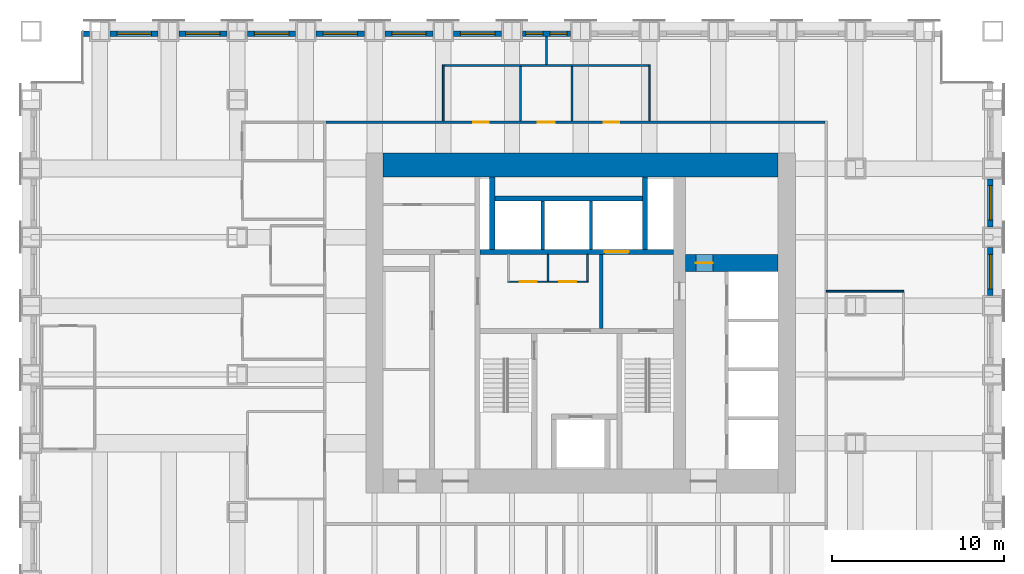
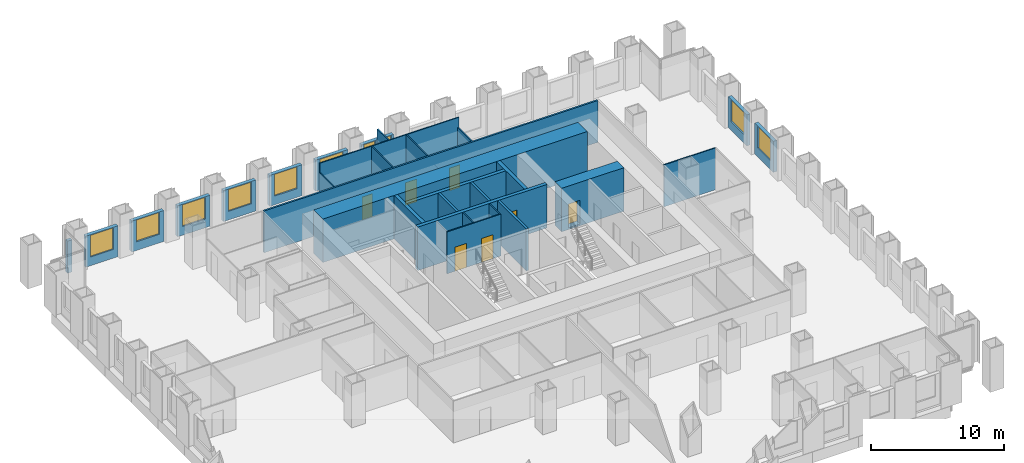
# One storey, part 12 of 15: 30 walls, 10 windows, 7 doors, 17 openings.
"""IFC4 building model written with IfcOpenShell, lengths in metres."""

from ifc_helpers import new_model, si_unit, direction, frame, frame_2d, origin, place, context, subcontext, project, spatial, rectangle, extrude, material, layer, layer_set, type_object, element, fill, save


model = new_model("IFC4")

# Units and contexts
model_context = context("Model", 3, precision=1e-05, world=origin(), true_north=direction((0.0, 1.0)))
body_context = subcontext(model_context, "Body", "Model", "MODEL_VIEW")
ifc_project = project(units=[si_unit("LENGTHUNIT", "METRE"), si_unit("AREAUNIT", "SQUARE_METRE"), si_unit("VOLUMEUNIT", "CUBIC_METRE"), si_unit("PLANEANGLEUNIT", "RADIAN"), si_unit("MASSUNIT", "GRAM", prefix="KILO")], contexts=[model_context])

# Site, building, storey
site_placement = place(None, origin())
site = spatial("IfcSite", under=ifc_project, at=site_placement, CompositionType="ELEMENT")
building_placement = place(site_placement, origin())
building = spatial("IfcBuilding", under=site, at=building_placement, Name="Rimbunsela Tower", CompositionType="ELEMENT")
storey_placement = place(building_placement, frame((0.0, 0.0, 35.0)))
storey = spatial("IfcBuildingStorey", under=building, at=storey_placement, Name="L08", CompositionType="ELEMENT", Elevation=35.0)

# Wall, opening, door
ifc_material_1 = material(Name="Concrete fc' 80 MPa", Category="concrete")
ifc_layer_1 = layer(ifc_material_1, 0.300048828125)
ifc_layer_set_1 = layer_set([ifc_layer_1], Name="Core internal wall 300")
wall_type_1 = type_object("IfcWallType", Name="Core internal wall 300", PredefinedType="SHEAR", material=ifc_layer_set_1)
wall_1_placement = place(storey_placement, frame((24.14990234375, 31.14990234375, -0.14990234375), z_axis=(0.0, 0.0, 1.0), x_axis=(1.0, 0.0, 0.0)))
wall_1 = element("IfcWall", 1, at=wall_1_placement, inside=storey, type_object=wall_type_1, Name="Lift shaft front north", PredefinedType="SHEAR", context=body_context, shape_type="SweptSolid", body=[
    extrude(rectangle(XDim=11.25, YDim=0.300048828125, at=frame_2d((5.625, 0.0))), origin(), (0.0, 0.0, 1.0), 4.0),
])
opening_1_placement = place(wall_1_placement, frame((7.25, 0.0, 0.14990234375)))
opening_1 = element("IfcOpeningElement", 2, at=opening_1_placement, cuts=wall_1, Name="Opening LD3", PredefinedType="OPENING", context=body_context, shape_type="SweptSolid", body=[
    extrude(rectangle(XDim=1.39990234375, YDim=2.39990234375, at=frame_2d((0.699951171875, 1.199951171875))), frame((0.0, 0.159912109375, 0.0), z_axis=(0.0, -1.0, 0.0), x_axis=(1.0, 0.0, 0.0)), (0.0, 0.0, 1.0), 0.320068359375),
])
ifc_material_2 = material(Name="Steel door, fire rated", Category="steel")
door_type_1 = type_object("IfcDoorType", Name="Lift landing door 1400", OperationType="DOUBLE_DOOR_SLIDING", PredefinedType="DOOR", material=ifc_material_2)
door_1_placement = place(opening_1_placement, origin())
door_1 = element("IfcDoor", 3, at=door_1_placement, inside=storey, type_object=door_type_1, Name="Lift landing door FL2", OperationType="DOUBLE_DOOR_SLIDING", OverallHeight=2.39990234375, OverallWidth=1.39990234375, PredefinedType="DOOR", context=body_context, shape_type="SweptSolid", body=[
    extrude(rectangle(XDim=1.39990234375, YDim=2.39990234375, at=frame_2d((0.699951171875, 1.199951171875))), frame((0.0, 0.02490234375, 0.0), z_axis=(0.0, -1.0, 0.0), x_axis=(1.0, 0.0, 0.0)), (0.0, 0.0, 1.0), 0.050048828125),
])
fill(opening_1, door_1)

# Walls
for number, where, z_axis, x_axis, name in (
    (4, (24.85009765625, 31.300048828125, -0.14990234375), (0.0, 0.0, 1.0), (0.0, 1.0, 0.0), "Riser wall"),
    (5, (33.75, 31.300048828125, -0.14990234375), (0.0, 0.0, 1.0), (0.0, 1.0, 0.0), "Riser wall"),
):
    element("IfcWall", number, at=place(storey_placement, frame(where, z_axis=z_axis, x_axis=x_axis)), inside=storey, type_object=wall_type_1, Name=name, PredefinedType="SHEAR", context=body_context, shape_type="SweptSolid", body=[
        extrude(rectangle(XDim=4.199951171875, YDim=0.300048828125, at=frame_2d((2.10009765625, 0.0))), origin(), (0.0, 0.0, 1.0), 4.0),
    ])
wall_2_placement = place(storey_placement, frame((25.0, 34.25, -0.14990234375), z_axis=(0.0, 0.0, 1.0), x_axis=(1.0, 0.0, 0.0)))
element("IfcWall", 6, at=wall_2_placement, inside=storey, type_object=wall_type_1, Name="Lift shaft rear north", PredefinedType="SHEAR", context=body_context, shape_type="SweptSolid", body=[
    extrude(rectangle(XDim=8.60009765625, YDim=0.300048828125, at=frame_2d((4.300048828125, 0.0))), origin(), (0.0, 0.0, 1.0), 4.0),
])

# Wall, openings, doors
ifc_material_3 = material(Name="Concrete blockwork", Category="masonry")
ifc_layer_2 = layer(ifc_material_3, 0.10009765625)
ifc_layer_set_2 = layer_set([ifc_layer_2], Name="Core room partition 100")
wall_type_2 = type_object("IfcWallType", Name="Core room partition 100", PredefinedType="PARTITIONING", material=ifc_layer_set_2)
wall_3_placement = place(storey_placement, frame((25.75, 29.39990234375, 0.0), z_axis=(0.0, 0.0, 1.0), x_axis=(1.0, 0.0, 0.0)))
wall_3 = element("IfcWall", 7, at=wall_3_placement, inside=storey, type_object=wall_type_2, Name="Lobby room wall", PredefinedType="PARTITIONING", context=body_context, shape_type="SweptSolid", body=[
    extrude(rectangle(XDim=4.699951171875, YDim=0.10009765625, at=frame_2d((2.35009765625, 0.0))), origin(), (0.0, 0.0, 1.0), 3.85009765625),
])
opening_2_placement = place(wall_3_placement, frame((0.699951171875, 0.0, 0.0)))
opening_2 = element("IfcOpeningElement", 8, at=opening_2_placement, cuts=wall_3, Name="Opening D19", PredefinedType="OPENING", context=body_context, shape_type="SweptSolid", body=[
    extrude(rectangle(XDim=1.0, YDim=2.199951171875, at=frame_2d((0.5, 1.10009765625))), frame((0.0, 0.06005859375, 0.0), z_axis=(0.0, -1.0, 0.0), x_axis=(1.0, 0.0, 0.0)), (0.0, 0.0, 1.0), 0.1201171875),
])
opening_3_placement = place(wall_3_placement, frame((3.0, 0.0, 0.0)))
opening_3 = element("IfcOpeningElement", 9, at=opening_3_placement, cuts=wall_3, Name="Opening D19", PredefinedType="OPENING", context=body_context, shape_type="SweptSolid", body=[
    extrude(rectangle(XDim=1.0, YDim=2.199951171875, at=frame_2d((0.5, 1.10009765625))), frame((0.0, 0.06005859375, 0.0), z_axis=(0.0, -1.0, 0.0), x_axis=(1.0, 0.0, 0.0)), (0.0, 0.0, 1.0), 0.1201171875),
])
ifc_material_4 = material(Name="Steel door, fire rated", Category="steel")
door_type_2 = type_object("IfcDoorType", Name="Service door 1000 fire rated", OperationType="SINGLE_SWING_LEFT", PredefinedType="DOOR", material=ifc_material_4)
door_2_placement = place(opening_2_placement, origin())
door_2 = element("IfcDoor", 10, at=door_2_placement, inside=storey, type_object=door_type_2, Name="Facilities store door", OperationType="SINGLE_SWING_LEFT", OverallHeight=2.199951171875, OverallWidth=1.0, PredefinedType="DOOR", context=body_context, shape_type="SweptSolid", body=[
    extrude(rectangle(XDim=1.0, YDim=2.199951171875, at=frame_2d((0.5, 1.10009765625))), frame((0.0, 0.02490234375, 0.0), z_axis=(0.0, -1.0, 0.0), x_axis=(1.0, 0.0, 0.0)), (0.0, 0.0, 1.0), 0.050048828125),
])
fill(opening_2, door_2)
door_3_placement = place(opening_3_placement, origin())
door_3 = element("IfcDoor", 11, at=door_3_placement, inside=storey, type_object=door_type_2, Name="IT room door", OperationType="SINGLE_SWING_LEFT", OverallHeight=2.199951171875, OverallWidth=1.0, PredefinedType="DOOR", context=body_context, shape_type="SweptSolid", body=[
    extrude(rectangle(XDim=1.0, YDim=2.199951171875, at=frame_2d((0.5, 1.10009765625))), frame((0.0, 0.02490234375, 0.0), z_axis=(0.0, -1.0, 0.0), x_axis=(1.0, 0.0, 0.0)), (0.0, 0.0, 1.0), 0.050048828125),
])
fill(opening_3, door_3)

# Walls
for number, where, z_axis, x_axis, name in (
    (12, (30.39990234375, 29.449951171875, 0.0), (0.0, 0.0, 1.0), (0.0, 1.0, 0.0), "Lobby room wall"),
    (13, (28.10009765625, 29.449951171875, 0.0), (0.0, 0.0, 1.0), (0.0, 1.0, 0.0), "Lobby room wall"),
):
    element("IfcWall", number, at=place(storey_placement, frame(where, z_axis=z_axis, x_axis=x_axis)), inside=storey, type_object=wall_type_2, Name=name, PredefinedType="PARTITIONING", context=body_context, shape_type="SweptSolid", body=[
        extrude(rectangle(XDim=1.550048828125, YDim=0.10009765625, at=frame_2d((0.77490234375, 0.0))), origin(), (0.0, 0.0, 1.0), 3.85009765625),
    ])

# Wall, opening, door
ifc_material_5 = material(Name="Concrete fc' 80 MPa", Category="concrete")
ifc_layer_3 = layer(ifc_material_5, 1.0)
ifc_layer_set_3 = layer_set([ifc_layer_3], Name="Core wall 1000")
wall_type_3 = type_object("IfcWallType", Name="Core wall 1000", PredefinedType="SHEAR", material=ifc_layer_set_3)
wall_4_placement = place(storey_placement, frame((36.10009765625, 30.5, -0.14990234375), z_axis=(0.0, 0.0, 1.0), x_axis=(1.0, 0.0, 0.0)))
wall_4 = element("IfcWall", 14, at=wall_4_placement, inside=storey, type_object=wall_type_3, Name="Lift shaft rear east", PredefinedType="SHEAR", context=body_context, shape_type="SweptSolid", body=[
    extrude(rectangle(XDim=5.39990234375, YDim=1.0, at=frame_2d((2.699951171875, 0.0))), origin(), (0.0, 0.0, 1.0), 4.0),
])
opening_4_placement = place(wall_4_placement, frame((0.60009765625, 0.0, 0.14990234375)))
opening_4 = element("IfcOpeningElement", 15, at=opening_4_placement, cuts=wall_4, Name="Opening D19", PredefinedType="OPENING", context=body_context, shape_type="SweptSolid", body=[
    extrude(rectangle(XDim=1.0, YDim=2.199951171875, at=frame_2d((0.5, 1.10009765625))), frame((0.0, 0.510009765625, 0.0), z_axis=(0.0, -1.0, 0.0), x_axis=(1.0, 0.0, 0.0)), (0.0, 0.0, 1.0), 1.02001953125),
])
door_4_placement = place(opening_4_placement, origin())
door_4 = element("IfcDoor", 16, at=door_4_placement, inside=storey, type_object=door_type_2, Name="Communications room door", OperationType="SINGLE_SWING_LEFT", OverallHeight=2.199951171875, OverallWidth=1.0, PredefinedType="DOOR", context=body_context, shape_type="SweptSolid", body=[
    extrude(rectangle(XDim=1.0, YDim=2.199951171875, at=frame_2d((0.5, 1.10009765625))), frame((0.0, 0.02490234375, 0.0), z_axis=(0.0, -1.0, 0.0), x_axis=(1.0, 0.0, 0.0)), (0.0, 0.0, 1.0), 0.050048828125),
])
fill(opening_4, door_4)

# Walls
ifc_material_6 = material(Name="Concrete fc' 80 MPa", Category="concrete")
ifc_layer_4 = layer(ifc_material_6, 1.39990234375)
ifc_layer_set_4 = layer_set([ifc_layer_4], Name="Core wall 1400")
wall_type_4 = type_object("IfcWallType", Name="Core wall 1400", PredefinedType="SHEAR", material=ifc_layer_set_4)
wall_5_placement = place(storey_placement, frame((18.5, 36.199951171875, -0.14990234375), z_axis=(0.0, 0.0, 1.0), x_axis=(1.0, 0.0, 0.0)))
element("IfcWall", 17, at=wall_5_placement, inside=storey, type_object=wall_type_4, Name="Core wall north", PredefinedType="SHEAR", context=body_context, shape_type="SweptSolid", body=[
    extrude(rectangle(XDim=23.0, YDim=1.39990234375, at=frame_2d((11.5, 0.0))), origin(), (0.0, 0.0, 1.0), 4.0),
])
ifc_material_7 = material(Name="Concrete blockwork", Category="masonry")
ifc_layer_5 = layer(ifc_material_7, 0.199951171875)
ifc_layer_set_5 = layer_set([ifc_layer_5], Name="Lift shaft wall 200")
wall_type_5 = type_object("IfcWallType", Name="Lift shaft wall 200", PredefinedType="SOLIDWALL", material=ifc_layer_set_5)
for number, where, z_axis, x_axis, name in (
    (18, (27.800048828125, 31.300048828125, -0.14990234375), (0.0, 0.0, 1.0), (0.0, 1.0, 0.0), "Lift shaft separation"),
    (19, (30.60009765625, 31.300048828125, -0.14990234375), (0.0, 0.0, 1.0), (0.0, 1.0, 0.0), "Lift shaft separation"),
):
    element("IfcWall", number, at=place(storey_placement, frame(where, z_axis=z_axis, x_axis=x_axis)), inside=storey, type_object=wall_type_5, Name=name, PredefinedType="SOLIDWALL", context=body_context, shape_type="SweptSolid", body=[
        extrude(rectangle(XDim=2.800048828125, YDim=0.199951171875, at=frame_2d((1.39990234375, 0.0))), origin(), (0.0, 0.0, 1.0), 4.0),
    ])
wall_6_placement = place(storey_placement, frame((31.199951171875, 26.699951171875, 0.0), z_axis=(0.0, 0.0, 1.0), x_axis=(0.0, 1.0, 0.0)))
element("IfcWall", 20, at=wall_6_placement, inside=storey, type_object=wall_type_5, Name="Firefighting lobby 2 wall", PredefinedType="SOLIDWALL", context=body_context, shape_type="SweptSolid", body=[
    extrude(rectangle(XDim=4.300048828125, YDim=0.199951171875, at=frame_2d((2.14990234375, 0.0))), origin(), (0.0, 0.0, 1.0), 3.85009765625),
])
ifc_material_8 = material(Name="Gypsum board on steel studs", Category="steel")
ifc_layer_6 = layer(ifc_material_8, 0.10009765625)
ifc_layer_set_6 = layer_set([ifc_layer_6], Name="Office partition 100")
wall_type_6 = type_object("IfcWallType", Name="Office partition 100", PredefinedType="PARTITIONING", material=ifc_layer_set_6)
wall_7_placement = place(storey_placement, frame((48.800048828125, 28.85009765625, 0.0), z_axis=(0.0, 0.0, 1.0), x_axis=(-1.0, 0.0, 0.0)))
element("IfcWall", 21, at=wall_7_placement, inside=storey, type_object=wall_type_6, Name="Office partition", PredefinedType="PARTITIONING", context=body_context, shape_type="SweptSolid", body=[
    extrude(rectangle(XDim=4.5, YDim=0.10009765625, at=frame_2d((2.25, 0.0))), origin(), (0.0, 0.0, 1.0), 3.85009765625),
])

# Wall, opening, window
ifc_material_9 = material(Name="Precast concrete fc' 35 MPa", Category="concrete")
ifc_layer_7 = layer(ifc_material_9, 0.300048828125)
ifc_layer_set_7 = layer_set([ifc_layer_7], Name="Precast concrete fc' 35 MPa")
wall_type_7 = type_object("IfcWallType", Name="Precast facade panel 300", PredefinedType="ELEMENTEDWALL", material=ifc_layer_set_7)
wall_8_placement = place(storey_placement, frame((53.85009765625, 28.60009765625, 0.0), z_axis=(0.0, 0.0, 1.0), x_axis=(0.0, 1.0, 0.0)))
wall_8 = element("IfcWall", 22, at=wall_8_placement, inside=storey, type_object=wall_type_7, Name="Facade panel E L08", PredefinedType="ELEMENTEDWALL", context=body_context, shape_type="SweptSolid", body=[
    extrude(rectangle(XDim=2.7998046875, YDim=0.300048828125, at=frame_2d((1.39990234375, 0.0))), origin(), (0.0, 0.0, 1.0), 2.85009765625),
])
opening_5_placement = place(wall_8_placement, frame((0.39990234375, 0.0, 0.800048828125)))
opening_5 = element("IfcOpeningElement", 23, at=opening_5_placement, cuts=wall_8, Name="Opening W1", PredefinedType="OPENING", context=body_context, shape_type="SweptSolid", body=[
    extrude(rectangle(XDim=2.0, YDim=2.0, at=frame_2d((1.0, 1.0))), frame((0.0, 0.159912109375, 0.0), z_axis=(0.0, -1.0, 0.0), x_axis=(1.0, 0.0, 0.0)), (0.0, 0.0, 1.0), 0.320068359375),
])
ifc_material_10 = material(Name="Clear glass in aluminium frame", Category="aluminium")
window_type_1 = type_object("IfcWindowType", Name="Window W1 2000x2000", PartitioningType="DOUBLE_PANEL_VERTICAL", PredefinedType="WINDOW", material=ifc_material_10)
window_1_placement = place(opening_5_placement, origin())
window_1 = element("IfcWindow", 24, at=window_1_placement, inside=storey, type_object=window_type_1, Name="Window L08", OverallHeight=2.0, OverallWidth=2.0, PartitioningType="SINGLE_PANEL", PredefinedType="WINDOW", context=body_context, shape_type="SweptSolid", body=[
    extrude(rectangle(XDim=2.0, YDim=2.0, at=frame_2d((1.0, 1.0))), frame((0.0, 0.030029296875, 0.0), z_axis=(0.0, -1.0, 0.0), x_axis=(1.0, 0.0, 0.0)), (0.0, 0.0, 1.0), 0.06005859375),
])
fill(opening_5, window_1)

wall_9_placement = place(storey_placement, frame((53.85009765625, 32.60009765625, 0.0), z_axis=(0.0, 0.0, 1.0), x_axis=(0.0, 1.0, 0.0)))
wall_9 = element("IfcWall", 25, at=wall_9_placement, inside=storey, type_object=wall_type_7, Name="Facade panel E L08", PredefinedType="ELEMENTEDWALL", context=body_context, shape_type="SweptSolid", body=[
    extrude(rectangle(XDim=2.7998046875, YDim=0.300048828125, at=frame_2d((1.39990234375, 0.0))), origin(), (0.0, 0.0, 1.0), 2.85009765625),
])
opening_6_placement = place(wall_9_placement, frame((0.39990234375, 0.0, 0.800048828125)))
opening_6 = element("IfcOpeningElement", 26, at=opening_6_placement, cuts=wall_9, Name="Opening W1", PredefinedType="OPENING", context=body_context, shape_type="SweptSolid", body=[
    extrude(rectangle(XDim=2.0, YDim=2.0, at=frame_2d((1.0, 1.0))), frame((0.0, 0.159912109375, 0.0), z_axis=(0.0, -1.0, 0.0), x_axis=(1.0, 0.0, 0.0)), (0.0, 0.0, 1.0), 0.320068359375),
])
window_2_placement = place(opening_6_placement, origin())
window_2 = element("IfcWindow", 27, at=window_2_placement, inside=storey, type_object=window_type_1, Name="Window L08", OverallHeight=2.0, OverallWidth=2.0, PartitioningType="SINGLE_PANEL", PredefinedType="WINDOW", context=body_context, shape_type="SweptSolid", body=[
    extrude(rectangle(XDim=2.0, YDim=2.0, at=frame_2d((1.0, 1.0))), frame((0.0, 0.030029296875, 0.0), z_axis=(0.0, -1.0, 0.0), x_axis=(1.0, 0.0, 0.0)), (0.0, 0.0, 1.0), 0.06005859375),
])
fill(opening_6, window_2)

# Wall
wall_10_placement = place(storey_placement, frame((1.39990234375, 43.85009765625, 0.0), z_axis=(0.0, 0.0, 1.0), x_axis=(-1.0, 0.0, 0.0)))
element("IfcWall", 28, at=wall_10_placement, inside=storey, type_object=wall_type_7, Name="Facade panel N L08", PredefinedType="ELEMENTEDWALL", context=body_context, shape_type="SweptSolid", body=[
    extrude(rectangle(XDim=0.369873046875, YDim=0.300048828125, at=frame_2d((0.18505859375, 0.0))), origin(), (0.0, 0.0, 1.0), 2.949951171875),
])

# Wall, opening, window
wall_11_placement = place(storey_placement, frame((5.39990234375, 43.85009765625, 0.0), z_axis=(0.0, 0.0, 1.0), x_axis=(-1.0, 0.0, 0.0)))
wall_11 = element("IfcWall", 29, at=wall_11_placement, inside=storey, type_object=wall_type_7, Name="Facade panel N L08", PredefinedType="ELEMENTEDWALL", context=body_context, shape_type="SweptSolid", body=[
    extrude(rectangle(XDim=2.7998046875, YDim=0.300048828125, at=frame_2d((1.39990234375, 0.0))), origin(), (0.0, 0.0, 1.0), 2.85009765625),
])
opening_7_placement = place(wall_11_placement, frame((0.39990234375, 0.0, 0.800048828125)))
opening_7 = element("IfcOpeningElement", 30, at=opening_7_placement, cuts=wall_11, Name="Opening W1", PredefinedType="OPENING", context=body_context, shape_type="SweptSolid", body=[
    extrude(rectangle(XDim=2.0, YDim=2.0, at=frame_2d((1.0, 1.0))), frame((0.0, 0.159912109375, 0.0), z_axis=(0.0, -1.0, 0.0), x_axis=(1.0, 0.0, 0.0)), (0.0, 0.0, 1.0), 0.320068359375),
])
window_3_placement = place(opening_7_placement, origin())
window_3 = element("IfcWindow", 31, at=window_3_placement, inside=storey, type_object=window_type_1, Name="Window L08", OverallHeight=2.0, OverallWidth=2.0, PartitioningType="SINGLE_PANEL", PredefinedType="WINDOW", context=body_context, shape_type="SweptSolid", body=[
    extrude(rectangle(XDim=2.0, YDim=2.0, at=frame_2d((1.0, 1.0))), frame((0.0, 0.030029296875, 0.0), z_axis=(0.0, -1.0, 0.0), x_axis=(1.0, 0.0, 0.0)), (0.0, 0.0, 1.0), 0.06005859375),
])
fill(opening_7, window_3)

wall_12_placement = place(storey_placement, frame((9.39990234375, 43.85009765625, 0.0), z_axis=(0.0, 0.0, 1.0), x_axis=(-1.0, 0.0, 0.0)))
wall_12 = element("IfcWall", 32, at=wall_12_placement, inside=storey, type_object=wall_type_7, Name="Facade panel N L08", PredefinedType="ELEMENTEDWALL", context=body_context, shape_type="SweptSolid", body=[
    extrude(rectangle(XDim=2.7998046875, YDim=0.300048828125, at=frame_2d((1.39990234375, 0.0))), origin(), (0.0, 0.0, 1.0), 2.85009765625),
])
opening_8_placement = place(wall_12_placement, frame((0.39990234375, 0.0, 0.800048828125)))
opening_8 = element("IfcOpeningElement", 33, at=opening_8_placement, cuts=wall_12, Name="Opening W1", PredefinedType="OPENING", context=body_context, shape_type="SweptSolid", body=[
    extrude(rectangle(XDim=2.0, YDim=2.0, at=frame_2d((1.0, 1.0))), frame((0.0, 0.159912109375, 0.0), z_axis=(0.0, -1.0, 0.0), x_axis=(1.0, 0.0, 0.0)), (0.0, 0.0, 1.0), 0.320068359375),
])
window_4_placement = place(opening_8_placement, origin())
window_4 = element("IfcWindow", 34, at=window_4_placement, inside=storey, type_object=window_type_1, Name="Window L08", OverallHeight=2.0, OverallWidth=2.0, PartitioningType="SINGLE_PANEL", PredefinedType="WINDOW", context=body_context, shape_type="SweptSolid", body=[
    extrude(rectangle(XDim=2.0, YDim=2.0, at=frame_2d((1.0, 1.0))), frame((0.0, 0.030029296875, 0.0), z_axis=(0.0, -1.0, 0.0), x_axis=(1.0, 0.0, 0.0)), (0.0, 0.0, 1.0), 0.06005859375),
])
fill(opening_8, window_4)

wall_13_placement = place(storey_placement, frame((13.39990234375, 43.85009765625, 0.0), z_axis=(0.0, 0.0, 1.0), x_axis=(-1.0, 0.0, 0.0)))
wall_13 = element("IfcWall", 35, at=wall_13_placement, inside=storey, type_object=wall_type_7, Name="Facade panel N L08", PredefinedType="ELEMENTEDWALL", context=body_context, shape_type="SweptSolid", body=[
    extrude(rectangle(XDim=2.7998046875, YDim=0.300048828125, at=frame_2d((1.39990234375, 0.0))), origin(), (0.0, 0.0, 1.0), 2.85009765625),
])
opening_9_placement = place(wall_13_placement, frame((0.39990234375, 0.0, 0.800048828125)))
opening_9 = element("IfcOpeningElement", 36, at=opening_9_placement, cuts=wall_13, Name="Opening W1", PredefinedType="OPENING", context=body_context, shape_type="SweptSolid", body=[
    extrude(rectangle(XDim=2.0, YDim=2.0, at=frame_2d((1.0, 1.0))), frame((0.0, 0.159912109375, 0.0), z_axis=(0.0, -1.0, 0.0), x_axis=(1.0, 0.0, 0.0)), (0.0, 0.0, 1.0), 0.320068359375),
])
window_5_placement = place(opening_9_placement, origin())
window_5 = element("IfcWindow", 37, at=window_5_placement, inside=storey, type_object=window_type_1, Name="Window L08", OverallHeight=2.0, OverallWidth=2.0, PartitioningType="SINGLE_PANEL", PredefinedType="WINDOW", context=body_context, shape_type="SweptSolid", body=[
    extrude(rectangle(XDim=2.0, YDim=2.0, at=frame_2d((1.0, 1.0))), frame((0.0, 0.030029296875, 0.0), z_axis=(0.0, -1.0, 0.0), x_axis=(1.0, 0.0, 0.0)), (0.0, 0.0, 1.0), 0.06005859375),
])
fill(opening_9, window_5)

wall_14_placement = place(storey_placement, frame((17.39990234375, 43.85009765625, 0.0), z_axis=(0.0, 0.0, 1.0), x_axis=(-1.0, 0.0, 0.0)))
wall_14 = element("IfcWall", 38, at=wall_14_placement, inside=storey, type_object=wall_type_7, Name="Facade panel N L08", PredefinedType="ELEMENTEDWALL", context=body_context, shape_type="SweptSolid", body=[
    extrude(rectangle(XDim=2.7998046875, YDim=0.300048828125, at=frame_2d((1.39990234375, 0.0))), origin(), (0.0, 0.0, 1.0), 2.85009765625),
])
opening_10_placement = place(wall_14_placement, frame((0.39990234375, 0.0, 0.800048828125)))
opening_10 = element("IfcOpeningElement", 39, at=opening_10_placement, cuts=wall_14, Name="Opening W1", PredefinedType="OPENING", context=body_context, shape_type="SweptSolid", body=[
    extrude(rectangle(XDim=2.0, YDim=2.0, at=frame_2d((1.0, 1.0))), frame((0.0, 0.159912109375, 0.0), z_axis=(0.0, -1.0, 0.0), x_axis=(1.0, 0.0, 0.0)), (0.0, 0.0, 1.0), 0.320068359375),
])
window_6_placement = place(opening_10_placement, origin())
window_6 = element("IfcWindow", 40, at=window_6_placement, inside=storey, type_object=window_type_1, Name="Window L08", OverallHeight=2.0, OverallWidth=2.0, PartitioningType="SINGLE_PANEL", PredefinedType="WINDOW", context=body_context, shape_type="SweptSolid", body=[
    extrude(rectangle(XDim=2.0, YDim=2.0, at=frame_2d((1.0, 1.0))), frame((0.0, 0.030029296875, 0.0), z_axis=(0.0, -1.0, 0.0), x_axis=(1.0, 0.0, 0.0)), (0.0, 0.0, 1.0), 0.06005859375),
])
fill(opening_10, window_6)

wall_15_placement = place(storey_placement, frame((21.39990234375, 43.85009765625, 0.0), z_axis=(0.0, 0.0, 1.0), x_axis=(-1.0, 0.0, 0.0)))
wall_15 = element("IfcWall", 41, at=wall_15_placement, inside=storey, type_object=wall_type_7, Name="Facade panel N L08", PredefinedType="ELEMENTEDWALL", context=body_context, shape_type="SweptSolid", body=[
    extrude(rectangle(XDim=2.7998046875, YDim=0.300048828125, at=frame_2d((1.39990234375, 0.0))), origin(), (0.0, 0.0, 1.0), 2.85009765625),
])
opening_11_placement = place(wall_15_placement, frame((0.39990234375, 0.0, 0.800048828125)))
opening_11 = element("IfcOpeningElement", 42, at=opening_11_placement, cuts=wall_15, Name="Opening W1", PredefinedType="OPENING", context=body_context, shape_type="SweptSolid", body=[
    extrude(rectangle(XDim=2.0, YDim=2.0, at=frame_2d((1.0, 1.0))), frame((0.0, 0.159912109375, 0.0), z_axis=(0.0, -1.0, 0.0), x_axis=(1.0, 0.0, 0.0)), (0.0, 0.0, 1.0), 0.320068359375),
])
window_7_placement = place(opening_11_placement, origin())
window_7 = element("IfcWindow", 43, at=window_7_placement, inside=storey, type_object=window_type_1, Name="Window L08", OverallHeight=2.0, OverallWidth=2.0, PartitioningType="SINGLE_PANEL", PredefinedType="WINDOW", context=body_context, shape_type="SweptSolid", body=[
    extrude(rectangle(XDim=2.0, YDim=2.0, at=frame_2d((1.0, 1.0))), frame((0.0, 0.030029296875, 0.0), z_axis=(0.0, -1.0, 0.0), x_axis=(1.0, 0.0, 0.0)), (0.0, 0.0, 1.0), 0.06005859375),
])
fill(opening_11, window_7)

wall_16_placement = place(storey_placement, frame((25.39990234375, 43.85009765625, 0.0), z_axis=(0.0, 0.0, 1.0), x_axis=(-1.0, 0.0, 0.0)))
wall_16 = element("IfcWall", 44, at=wall_16_placement, inside=storey, type_object=wall_type_7, Name="Facade panel N L08", PredefinedType="ELEMENTEDWALL", context=body_context, shape_type="SweptSolid", body=[
    extrude(rectangle(XDim=2.7998046875, YDim=0.300048828125, at=frame_2d((1.39990234375, 0.0))), origin(), (0.0, 0.0, 1.0), 2.85009765625),
])
opening_12_placement = place(wall_16_placement, frame((0.39990234375, 0.0, 0.800048828125)))
opening_12 = element("IfcOpeningElement", 45, at=opening_12_placement, cuts=wall_16, Name="Opening W1", PredefinedType="OPENING", context=body_context, shape_type="SweptSolid", body=[
    extrude(rectangle(XDim=2.0, YDim=2.0, at=frame_2d((1.0, 1.0))), frame((0.0, 0.159912109375, 0.0), z_axis=(0.0, -1.0, 0.0), x_axis=(1.0, 0.0, 0.0)), (0.0, 0.0, 1.0), 0.320068359375),
])
window_8_placement = place(opening_12_placement, origin())
window_8 = element("IfcWindow", 46, at=window_8_placement, inside=storey, type_object=window_type_1, Name="Window L08", OverallHeight=2.0, OverallWidth=2.0, PartitioningType="SINGLE_PANEL", PredefinedType="WINDOW", context=body_context, shape_type="SweptSolid", body=[
    extrude(rectangle(XDim=2.0, YDim=2.0, at=frame_2d((1.0, 1.0))), frame((0.0, 0.030029296875, 0.0), z_axis=(0.0, -1.0, 0.0), x_axis=(1.0, 0.0, 0.0)), (0.0, 0.0, 1.0), 0.06005859375),
])
fill(opening_12, window_8)

# Wall, openings, windows
wall_17_placement = place(storey_placement, frame((29.39990234375, 43.85009765625, 0.0), z_axis=(0.0, 0.0, 1.0), x_axis=(-1.0, 0.0, 0.0)))
wall_17 = element("IfcWall", 47, at=wall_17_placement, inside=storey, type_object=wall_type_7, Name="Facade panel N L08", PredefinedType="ELEMENTEDWALL", context=body_context, shape_type="SweptSolid", body=[
    extrude(rectangle(XDim=2.7998046875, YDim=0.300048828125, at=frame_2d((1.39990234375, 0.0))), origin(), (0.0, 0.0, 1.0), 2.85009765625),
])
opening_13_placement = place(wall_17_placement, frame((1.60009765625, 0.0, 0.800048828125)))
opening_13 = element("IfcOpeningElement", 48, at=opening_13_placement, cuts=wall_17, Name="Opening W5", PredefinedType="OPENING", context=body_context, shape_type="SweptSolid", body=[
    extrude(rectangle(XDim=1.0, YDim=2.0, at=frame_2d((0.5, 1.0))), frame((0.0, 0.159912109375, 0.0), z_axis=(0.0, -1.0, 0.0), x_axis=(1.0, 0.0, 0.0)), (0.0, 0.0, 1.0), 0.320068359375),
])
opening_14_placement = place(wall_17_placement, frame((0.199951171875, 0.0, 0.800048828125)))
opening_14 = element("IfcOpeningElement", 49, at=opening_14_placement, cuts=wall_17, Name="Opening W5", PredefinedType="OPENING", context=body_context, shape_type="SweptSolid", body=[
    extrude(rectangle(XDim=1.0, YDim=2.0, at=frame_2d((0.5, 1.0))), frame((0.0, 0.159912109375, 0.0), z_axis=(0.0, -1.0, 0.0), x_axis=(1.0, 0.0, 0.0)), (0.0, 0.0, 1.0), 0.320068359375),
])
ifc_material_11 = material(Name="Clear glass in aluminium frame", Category="aluminium")
window_type_2 = type_object("IfcWindowType", Name="Window W5 1000x2000", PartitioningType="SINGLE_PANEL", PredefinedType="WINDOW", material=ifc_material_11)
window_9_placement = place(opening_13_placement, origin())
window_9 = element("IfcWindow", 50, at=window_9_placement, inside=storey, type_object=window_type_2, Name="Window L08", OverallHeight=2.0, OverallWidth=1.0, PartitioningType="SINGLE_PANEL", PredefinedType="WINDOW", context=body_context, shape_type="SweptSolid", body=[
    extrude(rectangle(XDim=1.0, YDim=2.0, at=frame_2d((0.5, 1.0))), frame((0.0, 0.030029296875, 0.0), z_axis=(0.0, -1.0, 0.0), x_axis=(1.0, 0.0, 0.0)), (0.0, 0.0, 1.0), 0.06005859375),
])
fill(opening_13, window_9)
window_10_placement = place(opening_14_placement, origin())
window_10 = element("IfcWindow", 51, at=window_10_placement, inside=storey, type_object=window_type_2, Name="Window L08", OverallHeight=2.0, OverallWidth=1.0, PartitioningType="SINGLE_PANEL", PredefinedType="WINDOW", context=body_context, shape_type="SweptSolid", body=[
    extrude(rectangle(XDim=1.0, YDim=2.0, at=frame_2d((0.5, 1.0))), frame((0.0, 0.030029296875, 0.0), z_axis=(0.0, -1.0, 0.0), x_axis=(1.0, 0.0, 0.0)), (0.0, 0.0, 1.0), 0.06005859375),
])
fill(opening_14, window_10)

# Wall, openings, doors
ifc_material_12 = material(Name="Fire-rated gypsum board on steel studs, EI 60", Category="steel")
ifc_layer_8 = layer(ifc_material_12, 0.14990234375)
ifc_layer_set_8 = layer_set([ifc_layer_8], Name="Rated corridor wall 150")
wall_type_8 = type_object("IfcWallType", Name="Rated corridor wall 150", PredefinedType="PARTITIONING", material=ifc_layer_set_8)
wall_18_placement = place(storey_placement, frame((15.175048828125, 38.699951171875, 0.0), z_axis=(0.0, 0.0, 1.0), x_axis=(1.0, 0.0, 0.0)))
wall_18 = element("IfcWall", 52, at=wall_18_placement, inside=storey, type_object=wall_type_8, Name="Corridor wall north", PredefinedType="PARTITIONING", context=body_context, shape_type="SweptSolid", body=[
    extrude(rectangle(XDim=29.050048828125, YDim=0.14990234375, at=frame_2d((14.52490234375, 0.0))), origin(), (0.0, 0.0, 1.0), 3.85009765625),
])
opening_15_placement = place(wall_18_placement, frame((8.574951171875, 0.0, 0.0)))
opening_15 = element("IfcOpeningElement", 53, at=opening_15_placement, cuts=wall_18, Name="Opening D04", PredefinedType="OPENING", context=body_context, shape_type="SweptSolid", body=[
    extrude(rectangle(XDim=0.89990234375, YDim=2.10009765625, at=frame_2d((0.449951171875, 1.050048828125))), frame((0.0, 0.0849609375, 0.0), z_axis=(0.0, -1.0, 0.0), x_axis=(1.0, 0.0, 0.0)), (0.0, 0.0, 1.0), 0.169921875),
])
opening_16_placement = place(wall_18_placement, frame((12.324951171875, 0.0, 0.0)))
opening_16 = element("IfcOpeningElement", 54, at=opening_16_placement, cuts=wall_18, Name="Opening D05", PredefinedType="OPENING", context=body_context, shape_type="SweptSolid", body=[
    extrude(rectangle(XDim=1.0, YDim=2.10009765625, at=frame_2d((0.5, 1.050048828125))), frame((0.0, 0.0849609375, 0.0), z_axis=(0.0, -1.0, 0.0), x_axis=(1.0, 0.0, 0.0)), (0.0, 0.0, 1.0), 0.169921875),
])
opening_17_placement = place(wall_18_placement, frame((16.175048828125, 0.0, 0.0)))
opening_17 = element("IfcOpeningElement", 55, at=opening_17_placement, cuts=wall_18, Name="Opening D04", PredefinedType="OPENING", context=body_context, shape_type="SweptSolid", body=[
    extrude(rectangle(XDim=0.89990234375, YDim=2.10009765625, at=frame_2d((0.449951171875, 1.050048828125))), frame((0.0, 0.0849609375, 0.0), z_axis=(0.0, -1.0, 0.0), x_axis=(1.0, 0.0, 0.0)), (0.0, 0.0, 1.0), 0.169921875),
])
ifc_material_13 = material(Name="Timber door", Category="wood")
door_type_3 = type_object("IfcDoorType", Name="Accessible WC door 1000", OperationType="SLIDING_TO_LEFT", PredefinedType="DOOR", material=ifc_material_13)
door_5_placement = place(opening_16_placement, origin())
door_5 = element("IfcDoor", 56, at=door_5_placement, inside=storey, type_object=door_type_3, Name="Accessible WC door", OperationType="SLIDING_TO_LEFT", OverallHeight=2.10009765625, OverallWidth=1.0, PredefinedType="DOOR", context=body_context, shape_type="SweptSolid", body=[
    extrude(rectangle(XDim=1.0, YDim=2.10009765625, at=frame_2d((0.5, 1.050048828125))), frame((0.0, 0.02490234375, 0.0), z_axis=(0.0, -1.0, 0.0), x_axis=(1.0, 0.0, 0.0)), (0.0, 0.0, 1.0), 0.050048828125),
])
fill(opening_16, door_5)
ifc_material_14 = material(Name="Timber door", Category="wood")
door_type_4 = type_object("IfcDoorType", Name="Toilet door 900", OperationType="SINGLE_SWING_LEFT", PredefinedType="DOOR", material=ifc_material_14)
door_6_placement = place(opening_15_placement, origin())
door_6 = element("IfcDoor", 57, at=door_6_placement, inside=storey, type_object=door_type_4, Name="Female WC door", OperationType="SINGLE_SWING_LEFT", OverallHeight=2.10009765625, OverallWidth=0.89990234375, PredefinedType="DOOR", context=body_context, shape_type="SweptSolid", body=[
    extrude(rectangle(XDim=0.89990234375, YDim=2.10009765625, at=frame_2d((0.449951171875, 1.050048828125))), frame((0.0, 0.02490234375, 0.0), z_axis=(0.0, -1.0, 0.0), x_axis=(1.0, 0.0, 0.0)), (0.0, 0.0, 1.0), 0.050048828125),
])
fill(opening_15, door_6)
door_7_placement = place(opening_17_placement, origin())
door_7 = element("IfcDoor", 58, at=door_7_placement, inside=storey, type_object=door_type_4, Name="Male WC door", OperationType="SINGLE_SWING_LEFT", OverallHeight=2.10009765625, OverallWidth=0.89990234375, PredefinedType="DOOR", context=body_context, shape_type="SweptSolid", body=[
    extrude(rectangle(XDim=0.89990234375, YDim=2.10009765625, at=frame_2d((0.449951171875, 1.050048828125))), frame((0.0, 0.02490234375, 0.0), z_axis=(0.0, -1.0, 0.0), x_axis=(1.0, 0.0, 0.0)), (0.0, 0.0, 1.0), 0.050048828125),
])
fill(opening_17, door_7)

# Walls
ifc_material_15 = material(Name="Gypsum board on steel studs", Category="steel")
ifc_layer_9 = layer(ifc_material_15, 0.1201171875)
ifc_layer_set_9 = layer_set([ifc_layer_9], Name="Tenancy partition 120")
wall_type_9 = type_object("IfcWallType", Name="Tenancy partition 120", PredefinedType="PARTITIONING", material=ifc_layer_set_9)
wall_19_placement = place(storey_placement, frame((28.0, 42.050048828125, 0.0), z_axis=(0.0, 0.0, 1.0), x_axis=(0.0, 1.0, 0.0)))
element("IfcWall", 59, at=wall_19_placement, inside=storey, type_object=wall_type_9, Name="Tenancy partition north", PredefinedType="PARTITIONING", context=body_context, shape_type="SweptSolid", body=[
    extrude(rectangle(XDim=1.64990234375, YDim=0.1201171875, at=frame_2d((0.824951171875, 0.0))), origin(), (0.0, 0.0, 1.0), 3.85009765625),
])
ifc_material_16 = material(Name="Concrete blockwork", Category="masonry")
ifc_layer_10 = layer(ifc_material_16, 0.10009765625)
ifc_layer_set_10 = layer_set([ifc_layer_10], Name="Toilet partition 100")
wall_type_10 = type_object("IfcWallType", Name="Toilet partition 100", PredefinedType="PARTITIONING", material=ifc_layer_set_10)
for number, where, z_axis, x_axis, name in (
    (60, (22.0, 38.77490234375, 0.0), (0.0, 0.0, 1.0), (0.0, 1.0, 0.0), "Toilet block wall west"),
    (61, (34.0, 38.77490234375, 0.0), (0.0, 0.0, 1.0), (0.0, 1.0, 0.0), "Toilet block wall east"),
):
    element("IfcWall", number, at=place(storey_placement, frame(where, z_axis=z_axis, x_axis=x_axis)), inside=storey, type_object=wall_type_10, Name=name, PredefinedType="PARTITIONING", context=body_context, shape_type="SweptSolid", body=[
        extrude(rectangle(XDim=3.275146484375, YDim=0.10009765625, at=frame_2d((1.6376953125, 0.0))), origin(), (0.0, 0.0, 1.0), 2.949951171875),
    ])
wall_20_placement = place(storey_placement, frame((21.949951171875, 42.0, 0.0), z_axis=(0.0, 0.0, 1.0), x_axis=(1.0, 0.0, 0.0)))
element("IfcWall", 62, at=wall_20_placement, inside=storey, type_object=wall_type_10, Name="Toilet block wall north", PredefinedType="PARTITIONING", context=body_context, shape_type="SweptSolid", body=[
    extrude(rectangle(XDim=12.10009765625, YDim=0.10009765625, at=frame_2d((6.050048828125, 0.0))), origin(), (0.0, 0.0, 1.0), 3.85009765625),
])
for number, where, z_axis, x_axis, name in (
    (63, (26.5, 38.77490234375, 0.0), (0.0, 0.0, 1.0), (0.0, 1.0, 0.0), "Toilet partition"),
    (64, (29.5, 38.77490234375, 0.0), (0.0, 0.0, 1.0), (0.0, 1.0, 0.0), "Toilet partition"),
):
    element("IfcWall", number, at=place(storey_placement, frame(where, z_axis=z_axis, x_axis=x_axis)), inside=storey, type_object=wall_type_10, Name=name, PredefinedType="PARTITIONING", context=body_context, shape_type="SweptSolid", body=[
        extrude(rectangle(XDim=3.175048828125, YDim=0.10009765625, at=frame_2d((1.58740234375, 0.0))), origin(), (0.0, 0.0, 1.0), 3.85009765625),
    ])

save(model, "model.ifc")
